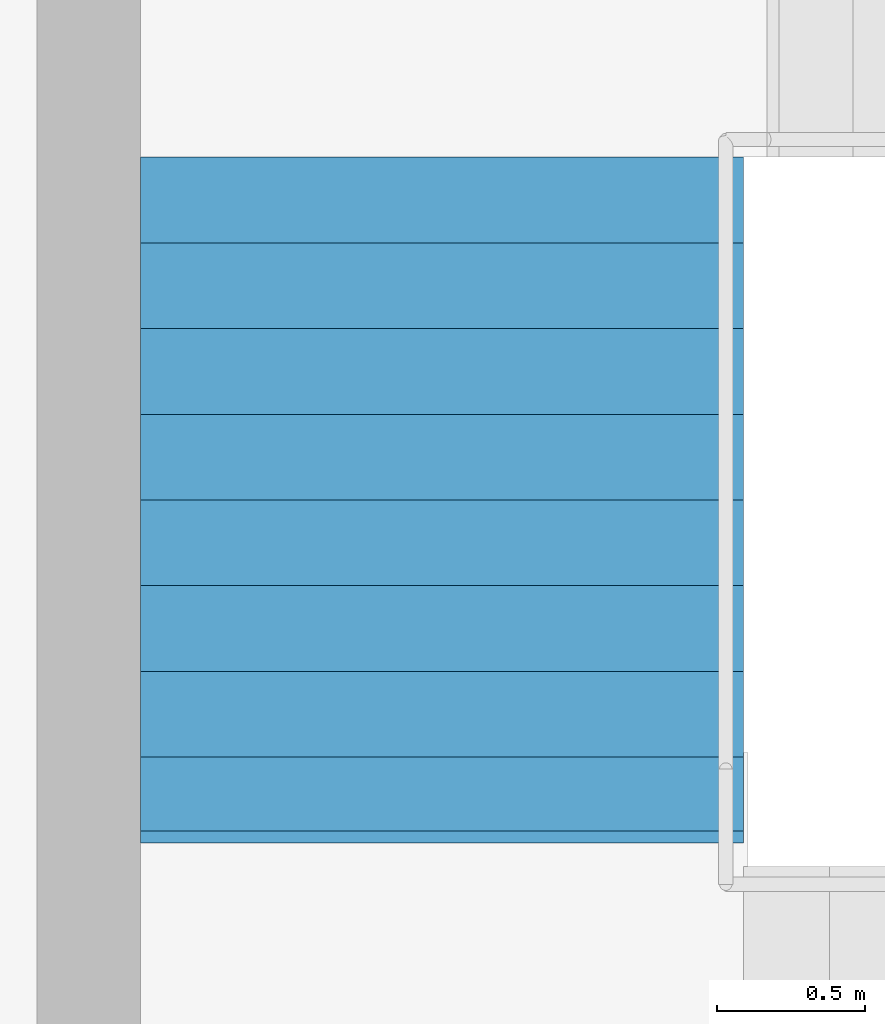
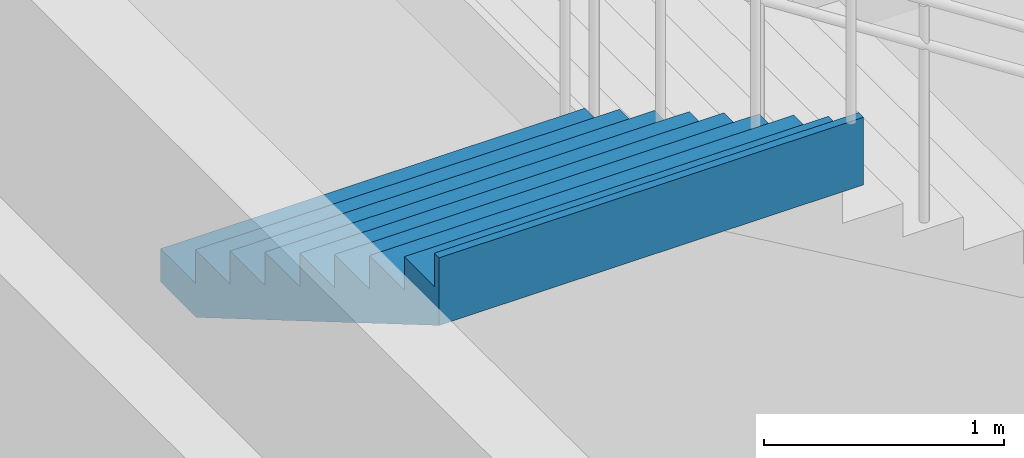
# One storey, part 31 of 46: 1 stair flight, 1 element without a shape of its own.
"""IFC4 building model written with IfcOpenShell, lengths in metres."""

from ifc_helpers import new_model, si_unit, direction, frame, origin, place, context, subcontext, project, spatial, triangles, material, type_object, element, aggregate, save


model = new_model("IFC4")

# Units and contexts
model_context = context("Model", 3, precision=1e-05, world=origin(), true_north=direction((0.0, 1.0)))
body_context = subcontext(model_context, "Body", "Model", "MODEL_VIEW")
ifc_project = project(units=[si_unit("LENGTHUNIT", "METRE"), si_unit("AREAUNIT", "SQUARE_METRE"), si_unit("VOLUMEUNIT", "CUBIC_METRE"), si_unit("PLANEANGLEUNIT", "RADIAN"), si_unit("MASSUNIT", "GRAM", prefix="KILO")], contexts=[model_context])

# Site, building, storey
site_placement = place(None, origin())
site = spatial("IfcSite", under=ifc_project, at=site_placement, CompositionType="ELEMENT")
building_placement = place(site_placement, origin())
building = spatial("IfcBuilding", under=site, at=building_placement, Name="Sillaruma Civic Art Gallery", CompositionType="ELEMENT")
storey_placement = place(building_placement, frame((0.0, 0.0, 16.320068359375)))
storey = spatial("IfcBuildingStorey", under=building, at=storey_placement, Name="L03", CompositionType="ELEMENT", Elevation=16.320068359375)

# Stair, stair flight
ifc_material = material(Name="Concrete H35 (35 MPa)", Category="concrete")
stair_type = type_object("IfcStairType", Name="STR-4F-36", PredefinedType="USERDEFINED", material=ifc_material)
stair_placement = place(storey_placement, origin())
stair = element("IfcStair", 1, at=stair_placement, inside=storey, type_object=stair_type, Name="Protected Exit Stair ST-03 (West Bar South) (L03)", ObjectType="THREE_RETURN_STAIR", PredefinedType="USERDEFINED")
stair_flight_type = type_object("IfcStairFlightType", Name="SFL-STR-9", PredefinedType="STRAIGHT", material=ifc_material)
stair_flight_placement = place(storey_placement, frame((63.780029296875, 35.85009765625, 4.58984375), z_axis=(0.0, 0.0, 1.0), x_axis=(0.0, -1.0, 0.0)))
stair_flight = element("IfcStairFlight", 2, at=stair_flight_placement, type_object=stair_flight_type, Name="ST-03 flight 4", NumberOfRisers=9, NumberOfTreads=8, PredefinedType="STRAIGHT", RiserHeight=0.17, TreadLength=0.29, context=body_context, shape_type="Tessellation", body=[
    triangles([(0.0, -1.02001953125, 0.0), (0.29, -1.02001953125, 0.0), (0.296482, -1.02001953125, 0.0), (0.58, -1.02001953125, 0.1662), (0.87, -1.02001953125, 0.3362), (1.16, -1.02001953125, 0.5062), (1.45, -1.02001953125, 0.6762), (1.74, -1.02001953125, 0.8462), (2.03, -1.02001953125, 1.0162), (2.280068, -1.02001953125, 1.162792), (2.320068, -1.02001953125, 1.18624), (2.320068, -1.02001953125, 1.53), (2.280068, -1.02001953125, 1.53), (2.280068, -1.02001953125, 1.36), (2.03, -1.02001953125, 1.36), (2.03, -1.02001953125, 1.19), (1.74, -1.02001953125, 1.19), (1.74, -1.02001953125, 1.02), (1.45, -1.02001953125, 1.02), (1.45, -1.02001953125, 0.85), (1.16, -1.02001953125, 0.85), (1.16, -1.02001953125, 0.68), (0.87, -1.02001953125, 0.68), (0.87, -1.02001953125, 0.51), (0.58, -1.02001953125, 0.51), (0.58, -1.02001953125, 0.34), (0.296482, -1.02001953125, 0.34), (0.29, -1.02001953125, 0.34), (0.29, -1.02001953125, 0.17), (0.0, -1.02001953125, 0.17), (0.0, -0.05, 0.0), (0.29, -0.05, 0.0), (0.296482, -0.05, 0.0), (0.58, -0.05, 0.1662), (0.87, -0.05, 0.3362), (1.16, -0.05, 0.5062), (1.45, -0.05, 0.6762), (1.74, -0.05, 0.8462), (2.03, -0.05, 1.0162), (2.280068, -0.05, 1.162792), (2.320068, -0.05, 1.18624), (2.320068, -0.05, 1.53), (2.280068, -0.05, 1.53), (2.280068, -0.05, 1.36), (2.03, -0.05, 1.36), (2.03, -0.05, 1.19), (1.74, -0.05, 1.19), (1.74, -0.05, 1.02), (1.45, -0.05, 1.02), (1.45, -0.05, 0.85), (1.16, -0.05, 0.85), (1.16, -0.05, 0.68), (0.87, -0.05, 0.68), (0.87, -0.05, 0.51), (0.58, -0.05, 0.51), (0.58, -0.05, 0.34), (0.296482, -0.05, 0.34), (0.29, -0.05, 0.34), (0.29, -0.05, 0.17), (0.0, -0.05, 0.17), (0.0, -0.0375, 0.0), (0.29, -0.0375, 0.0), (0.296482, -0.0375, 0.0), (0.58, -0.0375, 0.1662), (0.87, -0.0375, 0.3362), (1.16, -0.0375, 0.5062), (1.45, -0.0375, 0.6762), (1.74, -0.0375, 0.8462), (2.03, -0.0375, 1.0162), (2.280068, -0.0375, 1.162792), (2.320068, -0.0375, 1.18624), (2.320068, -0.0375, 1.53), (2.280068, -0.0375, 1.53), (2.280068, -0.0375, 1.36), (2.03, -0.0375, 1.36), (2.03, -0.0375, 1.19), (1.74, -0.0375, 1.19), (1.74, -0.0375, 1.02), (1.45, -0.0375, 1.02), (1.45, -0.0375, 0.85), (1.16, -0.0375, 0.85), (1.16, -0.0375, 0.68), (0.87, -0.0375, 0.68), (0.87, -0.0375, 0.51), (0.58, -0.0375, 0.51), (0.58, -0.0375, 0.34), (0.296482, -0.0375, 0.34), (0.29, -0.0375, 0.34), (0.29, -0.0375, 0.17), (0.0, -0.0375, 0.17), (0.0, -0.025, 0.0), (0.29, -0.025, 0.0), (0.296482, -0.025, 0.0), (0.58, -0.025, 0.1662), (0.87, -0.025, 0.3362), (1.16, -0.025, 0.5062), (1.45, -0.025, 0.6762), (1.74, -0.025, 0.8462), (2.03, -0.025, 1.0162), (2.280068, -0.025, 1.162792), (2.320068, -0.025, 1.18624), (2.320068, -0.025, 1.53), (2.280068, -0.025, 1.53), (2.280068, -0.025, 1.36), (2.03, -0.025, 1.36), (2.03, -0.025, 1.19), (1.74, -0.025, 1.19), (1.74, -0.025, 1.02), (1.45, -0.025, 1.02), (1.45, -0.025, 0.85), (1.16, -0.025, 0.85), (1.16, -0.025, 0.68), (0.87, -0.025, 0.68), (0.87, -0.025, 0.51), (0.58, -0.025, 0.51), (0.58, -0.025, 0.34), (0.296482, -0.025, 0.34), (0.29, -0.025, 0.34), (0.29, -0.025, 0.17), (0.0, -0.025, 0.17), (0.0, -0.0125, 0.0), (0.29, -0.0125, 0.0), (0.296482, -0.0125, 0.0), (0.58, -0.0125, 0.1662), (0.87, -0.0125, 0.3362), (1.16, -0.0125, 0.5062), (1.45, -0.0125, 0.6762), (1.74, -0.0125, 0.8462), (2.03, -0.0125, 1.0162), (2.280068, -0.0125, 1.162792), (2.320068, -0.0125, 1.18624), (2.320068, -0.0125, 1.53), (2.280068, -0.0125, 1.53), (2.280068, -0.0125, 1.36), (2.03, -0.0125, 1.36), (2.03, -0.0125, 1.19), (1.74, -0.0125, 1.19), (1.74, -0.0125, 1.02), (1.45, -0.0125, 1.02), (1.45, -0.0125, 0.85), (1.16, -0.0125, 0.85), (1.16, -0.0125, 0.68), (0.87, -0.0125, 0.68), (0.87, -0.0125, 0.51), (0.58, -0.0125, 0.51), (0.58, -0.0125, 0.34), (0.296482, -0.0125, 0.34), (0.29, -0.0125, 0.34), (0.29, -0.0125, 0.17), (0.0, -0.0125, 0.17), (0.0, 0.0, 0.0), (0.29, 0.0, 0.0), (0.296482, 0.0, 0.0), (0.58, 0.0, 0.1662), (0.87, 0.0, 0.3362), (1.16, 0.0, 0.5062), (1.45, 0.0, 0.6762), (1.74, 0.0, 0.8462), (2.03, 0.0, 1.0162), (2.280068, 0.0, 1.162792), (2.320068, 0.0, 1.18624), (2.320068, 0.0, 1.53), (2.280068, 0.0, 1.53), (2.280068, 0.0, 1.36), (2.03, 0.0, 1.36), (2.03, 0.0, 1.19), (1.74, 0.0, 1.19), (1.74, 0.0, 1.02), (1.45, 0.0, 1.02), (1.45, 0.0, 0.85), (1.16, 0.0, 0.85), (1.16, 0.0, 0.68), (0.87, 0.0, 0.68), (0.87, 0.0, 0.51), (0.58, 0.0, 0.51), (0.58, 0.0, 0.34), (0.296482, 0.0, 0.34), (0.29, 0.0, 0.34), (0.29, 0.0, 0.17), (0.0, 0.0, 0.17), (0.0, 0.0125, 0.0), (0.29, 0.0125, 0.0), (0.296482, 0.0125, 0.0), (0.58, 0.0125, 0.1662), (0.87, 0.0125, 0.3362), (1.16, 0.0125, 0.5062), (1.45, 0.0125, 0.6762), (1.74, 0.0125, 0.8462), (2.03, 0.0125, 1.0162), (2.280068, 0.0125, 1.162792), (2.320068, 0.0125, 1.18624), (2.320068, 0.0125, 1.53), (2.280068, 0.0125, 1.53), (2.280068, 0.0125, 1.36), (2.03, 0.0125, 1.36), (2.03, 0.0125, 1.19), (1.74, 0.0125, 1.19), (1.74, 0.0125, 1.02), (1.45, 0.0125, 1.02), (1.45, 0.0125, 0.85), (1.16, 0.0125, 0.85), (1.16, 0.0125, 0.68), (0.87, 0.0125, 0.68), (0.87, 0.0125, 0.51), (0.58, 0.0125, 0.51), (0.58, 0.0125, 0.34), (0.296482, 0.0125, 0.34), (0.29, 0.0125, 0.34), (0.29, 0.0125, 0.17), (0.0, 0.0125, 0.17), (0.0, 0.025, 0.0), (0.29, 0.025, 0.0), (0.296482, 0.025, 0.0), (0.58, 0.025, 0.1662), (0.87, 0.025, 0.3362), (1.16, 0.025, 0.5062), (1.45, 0.025, 0.6762), (1.74, 0.025, 0.8462), (2.03, 0.025, 1.0162), (2.280068, 0.025, 1.162792), (2.320068, 0.025, 1.18624), (2.320068, 0.025, 1.53), (2.280068, 0.025, 1.53), (2.280068, 0.025, 1.36), (2.03, 0.025, 1.36), (2.03, 0.025, 1.19), (1.74, 0.025, 1.19), (1.74, 0.025, 1.02), (1.45, 0.025, 1.02), (1.45, 0.025, 0.85), (1.16, 0.025, 0.85), (1.16, 0.025, 0.68), (0.87, 0.025, 0.68), (0.87, 0.025, 0.51), (0.58, 0.025, 0.51), (0.58, 0.025, 0.34), (0.296482, 0.025, 0.34), (0.29, 0.025, 0.34), (0.29, 0.025, 0.17), (0.0, 0.025, 0.17), (0.0, 0.0375, 0.0), (0.29, 0.0375, 0.0), (0.296482, 0.0375, 0.0), (0.58, 0.0375, 0.1662), (0.87, 0.0375, 0.3362), (1.16, 0.0375, 0.5062), (1.45, 0.0375, 0.6762), (1.74, 0.0375, 0.8462), (2.03, 0.0375, 1.0162), (2.280068, 0.0375, 1.162792), (2.320068, 0.0375, 1.18624), (2.320068, 0.0375, 1.53), (2.280068, 0.0375, 1.53), (2.280068, 0.0375, 1.36), (2.03, 0.0375, 1.36), (2.03, 0.0375, 1.19), (1.74, 0.0375, 1.19), (1.74, 0.0375, 1.02), (1.45, 0.0375, 1.02), (1.45, 0.0375, 0.85), (1.16, 0.0375, 0.85), (1.16, 0.0375, 0.68), (0.87, 0.0375, 0.68), (0.87, 0.0375, 0.51), (0.58, 0.0375, 0.51), (0.58, 0.0375, 0.34), (0.296482, 0.0375, 0.34), (0.29, 0.0375, 0.34), (0.29, 0.0375, 0.17), (0.0, 0.0375, 0.17), (0.0, 0.05, 0.0), (0.29, 0.05, 0.0), (0.296482, 0.05, 0.0), (0.58, 0.05, 0.1662), (0.87, 0.05, 0.3362), (1.16, 0.05, 0.5062), (1.45, 0.05, 0.6762), (1.74, 0.05, 0.8462), (2.03, 0.05, 1.0162), (2.280068, 0.05, 1.162792), (2.320068, 0.05, 1.18624), (2.320068, 0.05, 1.53), (2.280068, 0.05, 1.53), (2.280068, 0.05, 1.36), (2.03, 0.05, 1.36), (2.03, 0.05, 1.19), (1.74, 0.05, 1.19), (1.74, 0.05, 1.02), (1.45, 0.05, 1.02), (1.45, 0.05, 0.85), (1.16, 0.05, 0.85), (1.16, 0.05, 0.68), (0.87, 0.05, 0.68), (0.87, 0.05, 0.51), (0.58, 0.05, 0.51), (0.58, 0.05, 0.34), (0.296482, 0.05, 0.34), (0.29, 0.05, 0.34), (0.29, 0.05, 0.17), (0.0, 0.05, 0.17), (0.0, 1.02001953125, 0.0), (0.29, 1.02001953125, 0.0), (0.296482, 1.02001953125, 0.0), (0.58, 1.02001953125, 0.1662), (0.87, 1.02001953125, 0.3362), (1.16, 1.02001953125, 0.5062), (1.45, 1.02001953125, 0.6762), (1.74, 1.02001953125, 0.8462), (2.03, 1.02001953125, 1.0162), (2.280068, 1.02001953125, 1.162792), (2.320068, 1.02001953125, 1.18624), (2.320068, 1.02001953125, 1.53), (2.280068, 1.02001953125, 1.53), (2.280068, 1.02001953125, 1.36), (2.03, 1.02001953125, 1.36), (2.03, 1.02001953125, 1.19), (1.74, 1.02001953125, 1.19), (1.74, 1.02001953125, 1.02), (1.45, 1.02001953125, 1.02), (1.45, 1.02001953125, 0.85), (1.16, 1.02001953125, 0.85), (1.16, 1.02001953125, 0.68), (0.87, 1.02001953125, 0.68), (0.87, 1.02001953125, 0.51), (0.58, 1.02001953125, 0.51), (0.58, 1.02001953125, 0.34), (0.296482, 1.02001953125, 0.34), (0.29, 1.02001953125, 0.34), (0.29, 1.02001953125, 0.17), (0.0, 1.02001953125, 0.17)], [[1, 2, 29], [1, 29, 30], [2, 3, 27], [2, 27, 29], [29, 27, 28], [3, 4, 26], [3, 26, 27], [4, 5, 24], [4, 24, 26], [26, 24, 25], [5, 6, 22], [5, 22, 24], [24, 22, 23], [6, 7, 20], [6, 20, 22], [22, 20, 21], [7, 8, 18], [7, 18, 20], [20, 18, 19], [8, 9, 16], [8, 16, 18], [18, 16, 17], [9, 10, 14], [9, 14, 16], [16, 14, 15], [10, 11, 12], [10, 12, 14], [14, 12, 13], [329, 302, 301], [330, 329, 301], [327, 303, 302], [329, 327, 302], [328, 327, 329], [326, 304, 303], [327, 326, 303], [324, 305, 304], [326, 324, 304], [325, 324, 326], [322, 306, 305], [324, 322, 305], [323, 322, 324], [320, 307, 306], [322, 320, 306], [321, 320, 322], [318, 308, 307], [320, 318, 307], [319, 318, 320], [316, 309, 308], [318, 316, 308], [317, 316, 318], [314, 310, 309], [316, 314, 309], [315, 314, 316], [312, 311, 310], [314, 312, 310], [313, 312, 314], [2, 1, 31], [2, 31, 32], [3, 2, 32], [3, 32, 33], [4, 3, 33], [4, 33, 34], [5, 4, 34], [5, 34, 35], [6, 5, 35], [6, 35, 36], [7, 6, 36], [7, 36, 37], [8, 7, 37], [8, 37, 38], [9, 8, 38], [9, 38, 39], [10, 9, 39], [10, 39, 40], [11, 10, 40], [11, 40, 41], [12, 11, 41], [12, 41, 42], [13, 12, 42], [13, 42, 43], [14, 13, 43], [14, 43, 44], [15, 14, 44], [15, 44, 45], [16, 15, 45], [16, 45, 46], [17, 16, 46], [17, 46, 47], [18, 17, 47], [18, 47, 48], [19, 18, 48], [19, 48, 49], [20, 19, 49], [20, 49, 50], [21, 20, 50], [21, 50, 51], [22, 21, 51], [22, 51, 52], [23, 22, 52], [23, 52, 53], [24, 23, 53], [24, 53, 54], [25, 24, 54], [25, 54, 55], [26, 25, 55], [26, 55, 56], [27, 26, 56], [27, 56, 57], [28, 27, 57], [28, 57, 58], [29, 28, 58], [29, 58, 59], [30, 29, 59], [30, 59, 60], [1, 30, 60], [1, 60, 31], [32, 31, 61], [32, 61, 62], [33, 32, 62], [33, 62, 63], [34, 33, 63], [34, 63, 64], [35, 34, 64], [35, 64, 65], [36, 35, 65], [36, 65, 66], [37, 36, 66], [37, 66, 67], [38, 37, 67], [38, 67, 68], [39, 38, 68], [39, 68, 69], [40, 39, 69], [40, 69, 70], [41, 40, 70], [41, 70, 71], [42, 41, 71], [42, 71, 72], [43, 42, 72], [43, 72, 73], [44, 43, 73], [44, 73, 74], [45, 44, 74], [45, 74, 75], [46, 45, 75], [46, 75, 76], [47, 46, 76], [47, 76, 77], [48, 47, 77], [48, 77, 78], [49, 48, 78], [49, 78, 79], [50, 49, 79], [50, 79, 80], [51, 50, 80], [51, 80, 81], [52, 51, 81], [52, 81, 82], [53, 52, 82], [53, 82, 83], [54, 53, 83], [54, 83, 84], [55, 54, 84], [55, 84, 85], [56, 55, 85], [56, 85, 86], [57, 56, 86], [57, 86, 87], [58, 57, 87], [58, 87, 88], [59, 58, 88], [59, 88, 89], [60, 59, 89], [60, 89, 90], [31, 60, 90], [31, 90, 61], [62, 61, 91], [62, 91, 92], [63, 62, 92], [63, 92, 93], [64, 63, 93], [64, 93, 94], [65, 64, 94], [65, 94, 95], [66, 65, 95], [66, 95, 96], [67, 66, 96], [67, 96, 97], [68, 67, 97], [68, 97, 98], [69, 68, 98], [69, 98, 99], [70, 69, 99], [70, 99, 100], [71, 70, 100], [71, 100, 101], [72, 71, 101], [72, 101, 102], [73, 72, 102], [73, 102, 103], [74, 73, 103], [74, 103, 104], [75, 74, 104], [75, 104, 105], [76, 75, 105], [76, 105, 106], [77, 76, 106], [77, 106, 107], [78, 77, 107], [78, 107, 108], [79, 78, 108], [79, 108, 109], [80, 79, 109], [80, 109, 110], [81, 80, 110], [81, 110, 111], [82, 81, 111], [82, 111, 112], [83, 82, 112], [83, 112, 113], [84, 83, 113], [84, 113, 114], [85, 84, 114], [85, 114, 115], [86, 85, 115], [86, 115, 116], [87, 86, 116], [87, 116, 117], [88, 87, 117], [88, 117, 118], [89, 88, 118], [89, 118, 119], [90, 89, 119], [90, 119, 120], [61, 90, 120], [61, 120, 91], [92, 91, 121], [92, 121, 122], [93, 92, 122], [93, 122, 123], [94, 93, 123], [94, 123, 124], [95, 94, 124], [95, 124, 125], [96, 95, 125], [96, 125, 126], [97, 96, 126], [97, 126, 127], [98, 97, 127], [98, 127, 128], [99, 98, 128], [99, 128, 129], [100, 99, 129], [100, 129, 130], [101, 100, 130], [101, 130, 131], [102, 101, 131], [102, 131, 132], [103, 102, 132], [103, 132, 133], [104, 103, 133], [104, 133, 134], [105, 104, 134], [105, 134, 135], [106, 105, 135], [106, 135, 136], [107, 106, 136], [107, 136, 137], [108, 107, 137], [108, 137, 138], [109, 108, 138], [109, 138, 139], [110, 109, 139], [110, 139, 140], [111, 110, 140], [111, 140, 141], [112, 111, 141], [112, 141, 142], [113, 112, 142], [113, 142, 143], [114, 113, 143], [114, 143, 144], [115, 114, 144], [115, 144, 145], [116, 115, 145], [116, 145, 146], [117, 116, 146], [117, 146, 147], [118, 117, 147], [118, 147, 148], [119, 118, 148], [119, 148, 149], [120, 119, 149], [120, 149, 150], [91, 120, 150], [91, 150, 121], [122, 121, 151], [122, 151, 152], [123, 122, 152], [123, 152, 153], [124, 123, 153], [124, 153, 154], [125, 124, 154], [125, 154, 155], [126, 125, 155], [126, 155, 156], [127, 126, 156], [127, 156, 157], [128, 127, 157], [128, 157, 158], [129, 128, 158], [129, 158, 159], [130, 129, 159], [130, 159, 160], [131, 130, 160], [131, 160, 161], [132, 131, 161], [132, 161, 162], [133, 132, 162], [133, 162, 163], [134, 133, 163], [134, 163, 164], [135, 134, 164], [135, 164, 165], [136, 135, 165], [136, 165, 166], [137, 136, 166], [137, 166, 167], [138, 137, 167], [138, 167, 168], [139, 138, 168], [139, 168, 169], [140, 139, 169], [140, 169, 170], [141, 140, 170], [141, 170, 171], [142, 141, 171], [142, 171, 172], [143, 142, 172], [143, 172, 173], [144, 143, 173], [144, 173, 174], [145, 144, 174], [145, 174, 175], [146, 145, 175], [146, 175, 176], [147, 146, 176], [147, 176, 177], [148, 147, 177], [148, 177, 178], [149, 148, 178], [149, 178, 179], [150, 149, 179], [150, 179, 180], [121, 150, 180], [121, 180, 151], [152, 151, 181], [152, 181, 182], [153, 152, 182], [153, 182, 183], [154, 153, 183], [154, 183, 184], [155, 154, 184], [155, 184, 185], [156, 155, 185], [156, 185, 186], [157, 156, 186], [157, 186, 187], [158, 157, 187], [158, 187, 188], [159, 158, 188], [159, 188, 189], [160, 159, 189], [160, 189, 190], [161, 160, 190], [161, 190, 191], [162, 161, 191], [162, 191, 192], [163, 162, 192], [163, 192, 193], [164, 163, 193], [164, 193, 194], [165, 164, 194], [165, 194, 195], [166, 165, 195], [166, 195, 196], [167, 166, 196], [167, 196, 197], [168, 167, 197], [168, 197, 198], [169, 168, 198], [169, 198, 199], [170, 169, 199], [170, 199, 200], [171, 170, 200], [171, 200, 201], [172, 171, 201], [172, 201, 202], [173, 172, 202], [173, 202, 203], [174, 173, 203], [174, 203, 204], [175, 174, 204], [175, 204, 205], [176, 175, 205], [176, 205, 206], [177, 176, 206], [177, 206, 207], [178, 177, 207], [178, 207, 208], [179, 178, 208], [179, 208, 209], [180, 179, 209], [180, 209, 210], [151, 180, 210], [151, 210, 181], [182, 181, 211], [182, 211, 212], [183, 182, 212], [183, 212, 213], [184, 183, 213], [184, 213, 214], [185, 184, 214], [185, 214, 215], [186, 185, 215], [186, 215, 216], [187, 186, 216], [187, 216, 217], [188, 187, 217], [188, 217, 218], [189, 188, 218], [189, 218, 219], [190, 189, 219], [190, 219, 220], [191, 190, 220], [191, 220, 221], [192, 191, 221], [192, 221, 222], [193, 192, 222], [193, 222, 223], [194, 193, 223], [194, 223, 224], [195, 194, 224], [195, 224, 225], [196, 195, 225], [196, 225, 226], [197, 196, 226], [197, 226, 227], [198, 197, 227], [198, 227, 228], [199, 198, 228], [199, 228, 229], [200, 199, 229], [200, 229, 230], [201, 200, 230], [201, 230, 231], [202, 201, 231], [202, 231, 232], [203, 202, 232], [203, 232, 233], [204, 203, 233], [204, 233, 234], [205, 204, 234], [205, 234, 235], [206, 205, 235], [206, 235, 236], [207, 206, 236], [207, 236, 237], [208, 207, 237], [208, 237, 238], [209, 208, 238], [209, 238, 239], [210, 209, 239], [210, 239, 240], [181, 210, 240], [181, 240, 211], [212, 211, 241], [212, 241, 242], [213, 212, 242], [213, 242, 243], [214, 213, 243], [214, 243, 244], [215, 214, 244], [215, 244, 245], [216, 215, 245], [216, 245, 246], [217, 216, 246], [217, 246, 247], [218, 217, 247], [218, 247, 248], [219, 218, 248], [219, 248, 249], [220, 219, 249], [220, 249, 250], [221, 220, 250], [221, 250, 251], [222, 221, 251], [222, 251, 252], [223, 222, 252], [223, 252, 253], [224, 223, 253], [224, 253, 254], [225, 224, 254], [225, 254, 255], [226, 225, 255], [226, 255, 256], [227, 226, 256], [227, 256, 257], [228, 227, 257], [228, 257, 258], [229, 228, 258], [229, 258, 259], [230, 229, 259], [230, 259, 260], [231, 230, 260], [231, 260, 261], [232, 231, 261], [232, 261, 262], [233, 232, 262], [233, 262, 263], [234, 233, 263], [234, 263, 264], [235, 234, 264], [235, 264, 265], [236, 235, 265], [236, 265, 266], [237, 236, 266], [237, 266, 267], [238, 237, 267], [238, 267, 268], [239, 238, 268], [239, 268, 269], [240, 239, 269], [240, 269, 270], [211, 240, 270], [211, 270, 241], [242, 241, 271], [242, 271, 272], [243, 242, 272], [243, 272, 273], [244, 243, 273], [244, 273, 274], [245, 244, 274], [245, 274, 275], [246, 245, 275], [246, 275, 276], [247, 246, 276], [247, 276, 277], [248, 247, 277], [248, 277, 278], [249, 248, 278], [249, 278, 279], [250, 249, 279], [250, 279, 280], [251, 250, 280], [251, 280, 281], [252, 251, 281], [252, 281, 282], [253, 252, 282], [253, 282, 283], [254, 253, 283], [254, 283, 284], [255, 254, 284], [255, 284, 285], [256, 255, 285], [256, 285, 286], [257, 256, 286], [257, 286, 287], [258, 257, 287], [258, 287, 288], [259, 258, 288], [259, 288, 289], [260, 259, 289], [260, 289, 290], [261, 260, 290], [261, 290, 291], [262, 261, 291], [262, 291, 292], [263, 262, 292], [263, 292, 293], [264, 263, 293], [264, 293, 294], [265, 264, 294], [265, 294, 295], [266, 265, 295], [266, 295, 296], [267, 266, 296], [267, 296, 297], [268, 267, 297], [268, 297, 298], [269, 268, 298], [269, 298, 299], [270, 269, 299], [270, 299, 300], [241, 270, 300], [241, 300, 271], [272, 271, 301], [272, 301, 302], [273, 272, 302], [273, 302, 303], [274, 273, 303], [274, 303, 304], [275, 274, 304], [275, 304, 305], [276, 275, 305], [276, 305, 306], [277, 276, 306], [277, 306, 307], [278, 277, 307], [278, 307, 308], [279, 278, 308], [279, 308, 309], [280, 279, 309], [280, 309, 310], [281, 280, 310], [281, 310, 311], [282, 281, 311], [282, 311, 312], [283, 282, 312], [283, 312, 313], [284, 283, 313], [284, 313, 314], [285, 284, 314], [285, 314, 315], [286, 285, 315], [286, 315, 316], [287, 286, 316], [287, 316, 317], [288, 287, 317], [288, 317, 318], [289, 288, 318], [289, 318, 319], [290, 289, 319], [290, 319, 320], [291, 290, 320], [291, 320, 321], [292, 291, 321], [292, 321, 322], [293, 292, 322], [293, 322, 323], [294, 293, 323], [294, 323, 324], [295, 294, 324], [295, 324, 325], [296, 295, 325], [296, 325, 326], [297, 296, 326], [297, 326, 327], [298, 297, 327], [298, 327, 328], [299, 298, 328], [299, 328, 329], [300, 299, 329], [300, 329, 330], [271, 300, 330], [271, 330, 301]], closed=True),
])
aggregate(stair, [stair_flight])

save(model, "model.ifc")
